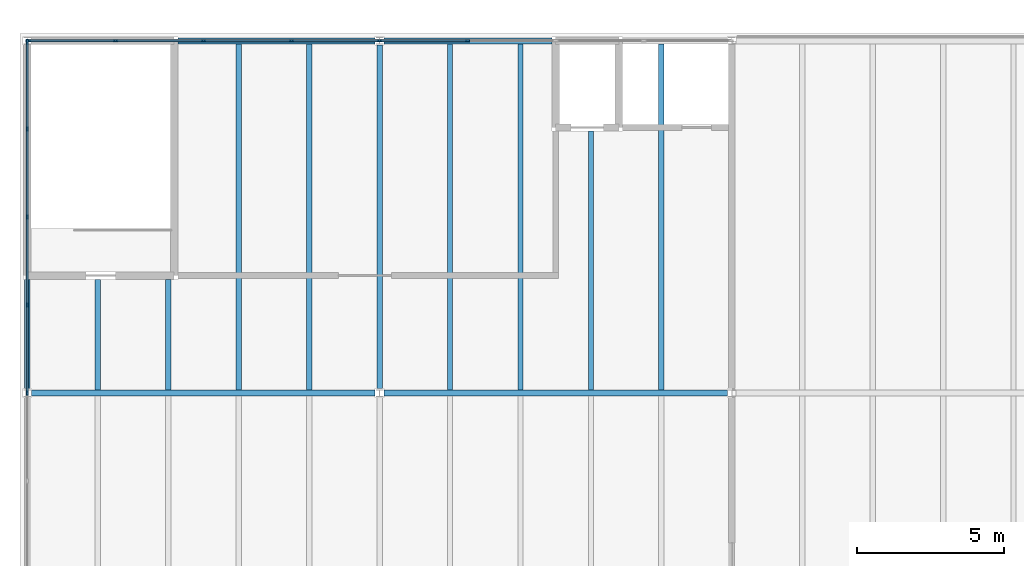
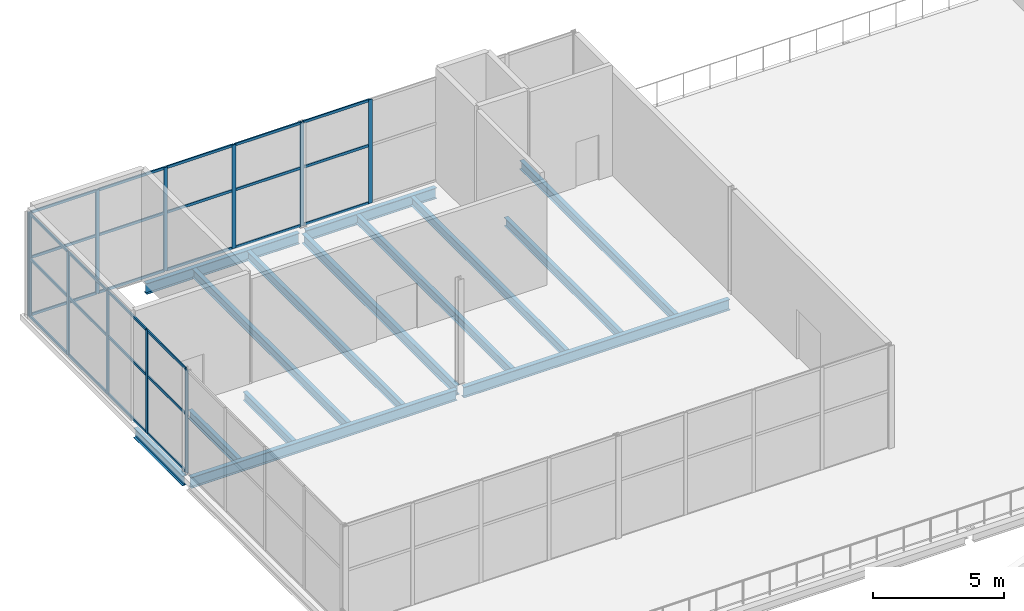
# One storey, part 204 of 321: 38 members, 14 beams, 2 elements without a shape of their own.
"""IFC4 building model written with IfcOpenShell, lengths in metres."""

from ifc_helpers import new_model, si_unit, direction, frame, origin, origin_2d, place, context, subcontext, project, spatial, rectangle, i_section, extrude, material, layer, layer_set, material_profile, profile_set, type_object, element, aggregate, save


model = new_model("IFC4")

# Units and contexts
model_context = context("Model", 3, precision=1e-05, world=origin(), true_north=direction((0.0, 1.0)))
body_context = subcontext(model_context, "Body", "Model", "MODEL_VIEW")
ifc_project = project(units=[si_unit("LENGTHUNIT", "METRE"), si_unit("AREAUNIT", "SQUARE_METRE"), si_unit("VOLUMEUNIT", "CUBIC_METRE"), si_unit("PLANEANGLEUNIT", "RADIAN"), si_unit("MASSUNIT", "GRAM", prefix="KILO")], contexts=[model_context])

# Site, building, storey
site_placement = place(None, origin())
site = spatial("IfcSite", under=ifc_project, at=site_placement, CompositionType="ELEMENT")
building_placement = place(site_placement, origin())
building = spatial("IfcBuilding", under=site, at=building_placement, Name="Ravi Spectrum Wholesale Market", CompositionType="ELEMENT")
storey_placement = place(building_placement, frame((0.0, 0.0, 10.800048828125)))
storey = spatial("IfcBuildingStorey", under=building, at=storey_placement, Name="L02", CompositionType="ELEMENT", Elevation=10.800048828125)

# Beams
ifc_material_1 = material(Name="Steel S355", Category="steel")
ifc_material_profile_1 = material_profile(ifc_material_1, i_section(OverallWidth=0.179931640625, OverallDepth=0.39990234375, WebThickness=0.008544921875, FlangeThickness=0.013427734375, at=origin_2d()))
ifc_profile_set_1 = profile_set([ifc_material_profile_1], Name="Steel S355")
beam_type_1 = type_object("IfcBeamType", Name="IPE 400 girder", PredefinedType="BEAM", material=ifc_profile_set_1)
for number, where, z_axis, x_axis, name in (
    (1, (14.39990234375, 222.10009765625, -0.449951171875), (0.0, 1.0, 0.0), (-1.0, 0.0, 0.0), "OF-BM-L02-041"),
    (2, (16.800048828125, 222.10009765625, -0.449951171875), (0.0, 1.0, 0.0), (-1.0, 0.0, 0.0), "OF-BM-L02-042"),
):
    element("IfcBeam", number, at=place(storey_placement, frame(where, z_axis=z_axis, x_axis=x_axis)), inside=storey, type_object=beam_type_1, Name=name, PredefinedType="BEAM", context=body_context, shape_type="SweptSolid", body=[
        extrude(i_section(OverallWidth=0.179931640625, OverallDepth=0.39990234375, WebThickness=0.008544921875, FlangeThickness=0.013427734375, at=origin_2d()), origin(), (0.0, 0.0, 1.0), 3.77490234375),
    ])
for number, where, z_axis, x_axis, name in (
    (3, (19.199951171875, 222.10009765625, -0.449951171875), (0.0, 1.0, 0.0), (-1.0, 0.0, 0.0), "OF-BM-L02-043"),
    (4, (21.60009765625, 222.10009765625, -0.449951171875), (0.0, 1.0, 0.0), (-1.0, 0.0, 0.0), "OF-BM-L02-044"),
    (5, (26.39990234375, 222.10009765625, -0.449951171875), (0.0, 1.0, 0.0), (-1.0, 0.0, 0.0), "OF-BM-L02-053"),
    (6, (28.800048828125, 222.10009765625, -0.449951171875), (0.0, 1.0, 0.0), (-1.0, 0.0, 0.0), "OF-BM-L02-054"),
):
    element("IfcBeam", number, at=place(storey_placement, frame(where, z_axis=z_axis, x_axis=x_axis)), inside=storey, type_object=beam_type_1, Name=name, PredefinedType="BEAM", context=body_context, shape_type="SweptSolid", body=[
        extrude(i_section(OverallWidth=0.179931640625, OverallDepth=0.39990234375, WebThickness=0.008544921875, FlangeThickness=0.013427734375, at=origin_2d()), origin(), (0.0, 0.0, 1.0), 11.7998046875),
    ])
beam_1_placement = place(storey_placement, frame((31.199951171875, 222.10009765625, -0.449951171875), z_axis=(0.0, 1.0, 0.0), x_axis=(-1.0, 0.0, 0.0)))
element("IfcBeam", 7, at=beam_1_placement, inside=storey, type_object=beam_type_1, Name="OF-BM-L02-055", PredefinedType="BEAM", context=body_context, shape_type="SweptSolid", body=[
    extrude(i_section(OverallWidth=0.179931640625, OverallDepth=0.39990234375, WebThickness=0.008544921875, FlangeThickness=0.013427734375, at=origin_2d()), origin(), (0.0, 0.0, 1.0), 8.824951171875),
])
beam_2_placement = place(storey_placement, frame((33.60009765625, 222.10009765625, -0.449951171875), z_axis=(0.0, 1.0, 0.0), x_axis=(-1.0, 0.0, 0.0)))
element("IfcBeam", 8, at=beam_2_placement, inside=storey, type_object=beam_type_1, Name="OF-BM-L02-056", PredefinedType="BEAM", context=body_context, shape_type="SweptSolid", body=[
    extrude(i_section(OverallWidth=0.179931640625, OverallDepth=0.39990234375, WebThickness=0.008544921875, FlangeThickness=0.013427734375, at=origin_2d()), origin(), (0.0, 0.0, 1.0), 11.7998046875),
])
ifc_material_2 = material(Name="Steel S355", Category="steel")
ifc_material_profile_2 = material_profile(ifc_material_2, i_section(OverallWidth=0.18994140625, OverallDepth=0.449951171875, WebThickness=0.009521484375, FlangeThickness=0.0146484375, at=origin_2d()))
ifc_profile_set_2 = profile_set([ifc_material_profile_2], Name="Steel S355")
beam_type_2 = type_object("IfcBeamType", Name="IPE 450 girder", PredefinedType="BEAM", material=ifc_profile_set_2)
beam_3_placement = place(storey_placement, frame((12.0, 222.14990234375, -0.47509765625), z_axis=(0.0, 1.0, 0.0), x_axis=(-1.0, 0.0, 0.0)))
element("IfcBeam", 9, at=beam_3_placement, inside=storey, type_object=beam_type_2, Name="OF-BM-L02-020", PredefinedType="BEAM", context=body_context, shape_type="SweptSolid", body=[
    extrude(i_section(OverallWidth=0.18994140625, OverallDepth=0.449951171875, WebThickness=0.009521484375, FlangeThickness=0.0146484375, at=origin_2d()), origin(), (0.0, 0.0, 1.0), 3.72509765625),
])
beam_4_placement = place(storey_placement, frame((24.0, 222.14990234375, -0.47509765625), z_axis=(0.0, 1.0, 0.0), x_axis=(-1.0, 0.0, 0.0)))
element("IfcBeam", 10, at=beam_4_placement, inside=storey, type_object=beam_type_2, Name="OF-BM-L02-023", PredefinedType="BEAM", context=body_context, shape_type="SweptSolid", body=[
    extrude(i_section(OverallWidth=0.18994140625, OverallDepth=0.449951171875, WebThickness=0.009521484375, FlangeThickness=0.0146484375, at=origin_2d()), origin(), (0.0, 0.0, 1.0), 11.7001953125),
])
ifc_material_3 = material(Name="Steel S355", Category="steel")
ifc_material_profile_3 = material_profile(ifc_material_3, i_section(OverallWidth=0.199951171875, OverallDepth=0.5, WebThickness=0.01025390625, FlangeThickness=0.01611328125, at=origin_2d()))
ifc_profile_set_3 = profile_set([ifc_material_profile_3], Name="Steel S355")
beam_type_3 = type_object("IfcBeamType", Name="IPE 500 beam", PredefinedType="BEAM", material=ifc_profile_set_3)
for number, where, z_axis, x_axis, name in (
    (11, (12.14990234375, 222.0, -0.5), (1.0, 0.0, 0.0), (0.0, 1.0, 0.0), "OF-BM-L02-009"),
    (12, (24.14990234375, 222.0, -0.5), (1.0, 0.0, 0.0), (0.0, 1.0, 0.0), "OF-BM-L02-010"),
):
    element("IfcBeam", number, at=place(storey_placement, frame(where, z_axis=z_axis, x_axis=x_axis)), inside=storey, type_object=beam_type_3, Name=name, PredefinedType="BEAM", context=body_context, shape_type="SweptSolid", body=[
        extrude(i_section(OverallWidth=0.199951171875, OverallDepth=0.5, WebThickness=0.01025390625, FlangeThickness=0.01611328125, at=origin_2d()), origin(), (0.0, 0.0, 1.0), 11.7001953125),
    ])
beam_5_placement = place(storey_placement, frame((17.125, 234.0, -0.5), z_axis=(1.0, 0.0, 0.0), x_axis=(0.0, 1.0, 0.0)))
element("IfcBeam", 13, at=beam_5_placement, inside=storey, type_object=beam_type_3, Name="OF-BM-L02-013", PredefinedType="BEAM", context=body_context, shape_type="SweptSolid", body=[
    extrude(i_section(OverallWidth=0.199951171875, OverallDepth=0.5, WebThickness=0.01025390625, FlangeThickness=0.01611328125, at=origin_2d()), origin(), (0.0, 0.0, 1.0), 6.72509765625),
])
beam_6_placement = place(storey_placement, frame((24.14990234375, 234.0, -0.5), z_axis=(1.0, 0.0, 0.0), x_axis=(0.0, 1.0, 0.0)))
element("IfcBeam", 14, at=beam_6_placement, inside=storey, type_object=beam_type_3, Name="OF-BM-L02-014", PredefinedType="BEAM", context=body_context, shape_type="SweptSolid", body=[
    extrude(i_section(OverallWidth=0.199951171875, OverallDepth=0.5, WebThickness=0.01025390625, FlangeThickness=0.01611328125, at=origin_2d()), origin(), (0.0, 0.0, 1.0), 5.72509765625),
])

# Curtain wall, members
ifc_material_4 = material(Name="Aluminium 6063-T6", Category="aluminium")
ifc_layer = layer(ifc_material_4, 0.14990234375)
ifc_layer_set = layer_set([ifc_layer], Name="Aluminium 6063-T6")
curtain_wall_type = type_object("IfcCurtainWallType", Name="Curtain wall 150", PredefinedType="NOTDEFINED", material=ifc_layer_set)
curtain_wall_1_placement = place(storey_placement, origin())
curtain_wall_1 = element("IfcCurtainWall", 15, at=curtain_wall_1_placement, inside=storey, type_object=curtain_wall_type, Name="OF-CW-L02-001", PredefinedType="NOTDEFINED")
ifc_material_5 = material(Name="Aluminium 6063-T6", Category="aluminium")
ifc_material_profile_4 = material_profile(ifc_material_5, rectangle(XDim=0.06005859375, YDim=0.159912109375, at=origin_2d()))
ifc_profile_set_4 = profile_set([ifc_material_profile_4], Name="Aluminium 6063-T6")
member_type_1 = type_object("IfcMemberType", Name="Mullion 60 x 160", PredefinedType="MULLION", material=ifc_profile_set_4)
member_1_placement = place(storey_placement, frame((12.0, 222.0, 0.0), z_axis=(0.0, 0.0, 1.0), x_axis=(-1.0, 0.0, 0.0)))
member_1 = element("IfcMember", 16, at=member_1_placement, type_object=member_type_1, Name="OF-CW-L02-001 mullion 5", PredefinedType="MULLION", context=body_context, shape_type="SweptSolid", body=[
    extrude(rectangle(XDim=0.06005859375, YDim=0.159912109375, at=origin_2d()), origin(), (0.0, 0.0, 1.0), 4.820068359375),
])
member_2_placement = place(storey_placement, frame((12.0, 225.0, 0.0), z_axis=(0.0, 0.0, 1.0), x_axis=(-1.0, 0.0, 0.0)))
member_2 = element("IfcMember", 17, at=member_2_placement, type_object=member_type_1, Name="OF-CW-L02-001 mullion 6", PredefinedType="MULLION", context=body_context, shape_type="SweptSolid", body=[
    extrude(rectangle(XDim=0.06005859375, YDim=0.159912109375, at=origin_2d()), origin(), (0.0, 0.0, 1.0), 4.820068359375),
])
member_3_placement = place(storey_placement, frame((12.0, 228.0, 0.0), z_axis=(0.0, 0.0, 1.0), x_axis=(-1.0, 0.0, 0.0)))
member_3 = element("IfcMember", 18, at=member_3_placement, type_object=member_type_1, Name="OF-CW-L02-001 mullion 7", PredefinedType="MULLION", context=body_context, shape_type="SweptSolid", body=[
    extrude(rectangle(XDim=0.06005859375, YDim=0.159912109375, at=origin_2d()), origin(), (0.0, 0.0, 1.0), 4.820068359375),
])
member_4_placement = place(storey_placement, frame((12.0, 231.0, 0.0), z_axis=(0.0, 0.0, 1.0), x_axis=(-1.0, 0.0, 0.0)))
member_4 = element("IfcMember", 19, at=member_4_placement, type_object=member_type_1, Name="OF-CW-L02-001 mullion 8", PredefinedType="MULLION", context=body_context, shape_type="SweptSolid", body=[
    extrude(rectangle(XDim=0.06005859375, YDim=0.159912109375, at=origin_2d()), origin(), (0.0, 0.0, 1.0), 4.820068359375),
])
member_5_placement = place(storey_placement, frame((12.0, 233.969970703125, 0.0), z_axis=(0.0, 0.0, 1.0), x_axis=(-1.0, 0.0, 0.0)))
member_5 = element("IfcMember", 20, at=member_5_placement, type_object=member_type_1, Name="OF-CW-L02-001 mullion 9", PredefinedType="MULLION", context=body_context, shape_type="SweptSolid", body=[
    extrude(rectangle(XDim=0.06005859375, YDim=0.159912109375, at=origin_2d()), origin(), (0.0, 0.0, 1.0), 4.820068359375),
])

curtain_wall_2_placement = place(storey_placement, origin())
curtain_wall_2 = element("IfcCurtainWall", 21, at=curtain_wall_2_placement, inside=storey, type_object=curtain_wall_type, Name="OF-CW-L02-003", PredefinedType="NOTDEFINED")
member_6_placement = place(storey_placement, frame((12.030029296875, 234.0, 0.0), z_axis=(0.0, 0.0, 1.0), x_axis=(0.0, 1.0, 0.0)))
member_6 = element("IfcMember", 22, at=member_6_placement, type_object=member_type_1, Name="OF-CW-L02-003 mullion 1", PredefinedType="MULLION", context=body_context, shape_type="SweptSolid", body=[
    extrude(rectangle(XDim=0.06005859375, YDim=0.159912109375, at=origin_2d()), origin(), (0.0, 0.0, 1.0), 4.820068359375),
])
member_7_placement = place(storey_placement, frame((15.0, 234.0, 0.0), z_axis=(0.0, 0.0, 1.0), x_axis=(0.0, 1.0, 0.0)))
member_7 = element("IfcMember", 23, at=member_7_placement, type_object=member_type_1, Name="OF-CW-L02-003 mullion 2", PredefinedType="MULLION", context=body_context, shape_type="SweptSolid", body=[
    extrude(rectangle(XDim=0.06005859375, YDim=0.159912109375, at=origin_2d()), origin(), (0.0, 0.0, 1.0), 4.820068359375),
])
member_8_placement = place(storey_placement, frame((18.0, 234.0, 0.0), z_axis=(0.0, 0.0, 1.0), x_axis=(0.0, 1.0, 0.0)))
member_8 = element("IfcMember", 24, at=member_8_placement, type_object=member_type_1, Name="OF-CW-L02-003 mullion 3", PredefinedType="MULLION", context=body_context, shape_type="SweptSolid", body=[
    extrude(rectangle(XDim=0.06005859375, YDim=0.159912109375, at=origin_2d()), origin(), (0.0, 0.0, 1.0), 4.820068359375),
])
member_9_placement = place(storey_placement, frame((21.0, 234.0, 0.0), z_axis=(0.0, 0.0, 1.0), x_axis=(0.0, 1.0, 0.0)))
member_9 = element("IfcMember", 25, at=member_9_placement, type_object=member_type_1, Name="OF-CW-L02-003 mullion 4", PredefinedType="MULLION", context=body_context, shape_type="SweptSolid", body=[
    extrude(rectangle(XDim=0.06005859375, YDim=0.159912109375, at=origin_2d()), origin(), (0.0, 0.0, 1.0), 4.820068359375),
])
member_10_placement = place(storey_placement, frame((24.0, 234.0, 0.0), z_axis=(0.0, 0.0, 1.0), x_axis=(0.0, 1.0, 0.0)))
member_10 = element("IfcMember", 26, at=member_10_placement, type_object=member_type_1, Name="OF-CW-L02-003 mullion 5", PredefinedType="MULLION", context=body_context, shape_type="SweptSolid", body=[
    extrude(rectangle(XDim=0.06005859375, YDim=0.159912109375, at=origin_2d()), origin(), (0.0, 0.0, 1.0), 4.820068359375),
])
member_11_placement = place(storey_placement, frame((27.0, 234.0, 0.0), z_axis=(0.0, 0.0, 1.0), x_axis=(0.0, 1.0, 0.0)))
member_11 = element("IfcMember", 27, at=member_11_placement, type_object=member_type_1, Name="OF-CW-L02-003 mullion 6", PredefinedType="MULLION", context=body_context, shape_type="SweptSolid", body=[
    extrude(rectangle(XDim=0.06005859375, YDim=0.159912109375, at=origin_2d()), origin(), (0.0, 0.0, 1.0), 4.820068359375),
])

# Member
ifc_material_6 = material(Name="Aluminium 6063-T6", Category="aluminium")
ifc_material_profile_5 = material_profile(ifc_material_6, rectangle(XDim=0.06005859375, YDim=0.1201171875, at=origin_2d()))
ifc_profile_set_5 = profile_set([ifc_material_profile_5], Name="Aluminium 6063-T6")
member_type_2 = type_object("IfcMemberType", Name="Transom 60 x 120", PredefinedType="USERDEFINED", material=ifc_profile_set_5)
member_12_placement = place(storey_placement, frame((12.0, 222.030029296875, 0.030029296875), z_axis=(0.0, 1.0, 0.0), x_axis=(-1.0, 0.0, 0.0)))
member_12 = element("IfcMember", 28, at=member_12_placement, type_object=member_type_2, Name="OF-CW-L02-001 transom 5.1", ObjectType="TRANSOM", PredefinedType="USERDEFINED", context=body_context, shape_type="SweptSolid", body=[
    extrude(rectangle(XDim=0.06005859375, YDim=0.1201171875, at=origin_2d()), origin(), (0.0, 0.0, 1.0), 2.93994140625),
])

member_13_placement = place(storey_placement, frame((12.0, 222.030029296875, 2.699951171875), z_axis=(0.0, 1.0, 0.0), x_axis=(-1.0, 0.0, 0.0)))
member_13 = element("IfcMember", 29, at=member_13_placement, type_object=member_type_2, Name="OF-CW-L02-001 transom 5.2", ObjectType="TRANSOM", PredefinedType="USERDEFINED", context=body_context, shape_type="SweptSolid", body=[
    extrude(rectangle(XDim=0.06005859375, YDim=0.1201171875, at=origin_2d()), origin(), (0.0, 0.0, 1.0), 2.93994140625),
])

member_14_placement = place(storey_placement, frame((12.0, 222.030029296875, 4.7900390625), z_axis=(0.0, 1.0, 0.0), x_axis=(-1.0, 0.0, 0.0)))
member_14 = element("IfcMember", 30, at=member_14_placement, type_object=member_type_2, Name="OF-CW-L02-001 transom 5.3", ObjectType="TRANSOM", PredefinedType="USERDEFINED", context=body_context, shape_type="SweptSolid", body=[
    extrude(rectangle(XDim=0.06005859375, YDim=0.1201171875, at=origin_2d()), origin(), (0.0, 0.0, 1.0), 2.93994140625),
])

member_15_placement = place(storey_placement, frame((12.0, 225.030029296875, 0.030029296875), z_axis=(0.0, 1.0, 0.0), x_axis=(-1.0, 0.0, 0.0)))
member_15 = element("IfcMember", 31, at=member_15_placement, type_object=member_type_2, Name="OF-CW-L02-001 transom 6.1", ObjectType="TRANSOM", PredefinedType="USERDEFINED", context=body_context, shape_type="SweptSolid", body=[
    extrude(rectangle(XDim=0.06005859375, YDim=0.1201171875, at=origin_2d()), origin(), (0.0, 0.0, 1.0), 2.93994140625),
])

member_16_placement = place(storey_placement, frame((12.0, 225.030029296875, 2.699951171875), z_axis=(0.0, 1.0, 0.0), x_axis=(-1.0, 0.0, 0.0)))
member_16 = element("IfcMember", 32, at=member_16_placement, type_object=member_type_2, Name="OF-CW-L02-001 transom 6.2", ObjectType="TRANSOM", PredefinedType="USERDEFINED", context=body_context, shape_type="SweptSolid", body=[
    extrude(rectangle(XDim=0.06005859375, YDim=0.1201171875, at=origin_2d()), origin(), (0.0, 0.0, 1.0), 2.93994140625),
])

member_17_placement = place(storey_placement, frame((12.0, 225.030029296875, 4.7900390625), z_axis=(0.0, 1.0, 0.0), x_axis=(-1.0, 0.0, 0.0)))
member_17 = element("IfcMember", 33, at=member_17_placement, type_object=member_type_2, Name="OF-CW-L02-001 transom 6.3", ObjectType="TRANSOM", PredefinedType="USERDEFINED", context=body_context, shape_type="SweptSolid", body=[
    extrude(rectangle(XDim=0.06005859375, YDim=0.1201171875, at=origin_2d()), origin(), (0.0, 0.0, 1.0), 2.93994140625),
])

member_18_placement = place(storey_placement, frame((12.0, 228.030029296875, 0.030029296875), z_axis=(0.0, 1.0, 0.0), x_axis=(-1.0, 0.0, 0.0)))
member_18 = element("IfcMember", 34, at=member_18_placement, type_object=member_type_2, Name="OF-CW-L02-001 transom 7.1", ObjectType="TRANSOM", PredefinedType="USERDEFINED", context=body_context, shape_type="SweptSolid", body=[
    extrude(rectangle(XDim=0.06005859375, YDim=0.1201171875, at=origin_2d()), origin(), (0.0, 0.0, 1.0), 2.93994140625),
])

member_19_placement = place(storey_placement, frame((12.0, 228.030029296875, 2.699951171875), z_axis=(0.0, 1.0, 0.0), x_axis=(-1.0, 0.0, 0.0)))
member_19 = element("IfcMember", 35, at=member_19_placement, type_object=member_type_2, Name="OF-CW-L02-001 transom 7.2", ObjectType="TRANSOM", PredefinedType="USERDEFINED", context=body_context, shape_type="SweptSolid", body=[
    extrude(rectangle(XDim=0.06005859375, YDim=0.1201171875, at=origin_2d()), origin(), (0.0, 0.0, 1.0), 2.93994140625),
])

member_20_placement = place(storey_placement, frame((12.0, 228.030029296875, 4.7900390625), z_axis=(0.0, 1.0, 0.0), x_axis=(-1.0, 0.0, 0.0)))
member_20 = element("IfcMember", 36, at=member_20_placement, type_object=member_type_2, Name="OF-CW-L02-001 transom 7.3", ObjectType="TRANSOM", PredefinedType="USERDEFINED", context=body_context, shape_type="SweptSolid", body=[
    extrude(rectangle(XDim=0.06005859375, YDim=0.1201171875, at=origin_2d()), origin(), (0.0, 0.0, 1.0), 2.93994140625),
])

member_21_placement = place(storey_placement, frame((12.0, 231.030029296875, 0.030029296875), z_axis=(0.0, 1.0, 0.0), x_axis=(-1.0, 0.0, 0.0)))
member_21 = element("IfcMember", 37, at=member_21_placement, type_object=member_type_2, Name="OF-CW-L02-001 transom 8.1", ObjectType="TRANSOM", PredefinedType="USERDEFINED", context=body_context, shape_type="SweptSolid", body=[
    extrude(rectangle(XDim=0.06005859375, YDim=0.1201171875, at=origin_2d()), origin(), (0.0, 0.0, 1.0), 2.909912109375),
])

member_22_placement = place(storey_placement, frame((12.0, 231.030029296875, 2.699951171875), z_axis=(0.0, 1.0, 0.0), x_axis=(-1.0, 0.0, 0.0)))
member_22 = element("IfcMember", 38, at=member_22_placement, type_object=member_type_2, Name="OF-CW-L02-001 transom 8.2", ObjectType="TRANSOM", PredefinedType="USERDEFINED", context=body_context, shape_type="SweptSolid", body=[
    extrude(rectangle(XDim=0.06005859375, YDim=0.1201171875, at=origin_2d()), origin(), (0.0, 0.0, 1.0), 2.909912109375),
])

member_23_placement = place(storey_placement, frame((12.0, 231.030029296875, 4.7900390625), z_axis=(0.0, 1.0, 0.0), x_axis=(-1.0, 0.0, 0.0)))
member_23 = element("IfcMember", 39, at=member_23_placement, type_object=member_type_2, Name="OF-CW-L02-001 transom 8.3", ObjectType="TRANSOM", PredefinedType="USERDEFINED", context=body_context, shape_type="SweptSolid", body=[
    extrude(rectangle(XDim=0.06005859375, YDim=0.1201171875, at=origin_2d()), origin(), (0.0, 0.0, 1.0), 2.909912109375),
])

aggregate(curtain_wall_1, [member_1, member_2, member_3, member_4, member_5, member_12, member_13, member_14, member_15, member_16, member_17, member_18, member_19, member_20, member_21, member_22, member_23])

member_24_placement = place(storey_placement, frame((12.06005859375, 234.0, 0.030029296875), z_axis=(1.0, 0.0, 0.0), x_axis=(0.0, 1.0, 0.0)))
member_24 = element("IfcMember", 40, at=member_24_placement, type_object=member_type_2, Name="OF-CW-L02-003 transom 1.1", ObjectType="TRANSOM", PredefinedType="USERDEFINED", context=body_context, shape_type="SweptSolid", body=[
    extrude(rectangle(XDim=0.06005859375, YDim=0.1201171875, at=origin_2d()), origin(), (0.0, 0.0, 1.0), 2.909912109375),
])

member_25_placement = place(storey_placement, frame((12.06005859375, 234.0, 2.699951171875), z_axis=(1.0, 0.0, 0.0), x_axis=(0.0, 1.0, 0.0)))
member_25 = element("IfcMember", 41, at=member_25_placement, type_object=member_type_2, Name="OF-CW-L02-003 transom 1.2", ObjectType="TRANSOM", PredefinedType="USERDEFINED", context=body_context, shape_type="SweptSolid", body=[
    extrude(rectangle(XDim=0.06005859375, YDim=0.1201171875, at=origin_2d()), origin(), (0.0, 0.0, 1.0), 2.909912109375),
])

member_26_placement = place(storey_placement, frame((12.06005859375, 234.0, 4.7900390625), z_axis=(1.0, 0.0, 0.0), x_axis=(0.0, 1.0, 0.0)))
member_26 = element("IfcMember", 42, at=member_26_placement, type_object=member_type_2, Name="OF-CW-L02-003 transom 1.3", ObjectType="TRANSOM", PredefinedType="USERDEFINED", context=body_context, shape_type="SweptSolid", body=[
    extrude(rectangle(XDim=0.06005859375, YDim=0.1201171875, at=origin_2d()), origin(), (0.0, 0.0, 1.0), 2.909912109375),
])

member_27_placement = place(storey_placement, frame((15.030029296875, 234.0, 0.030029296875), z_axis=(1.0, 0.0, 0.0), x_axis=(0.0, 1.0, 0.0)))
member_27 = element("IfcMember", 43, at=member_27_placement, type_object=member_type_2, Name="OF-CW-L02-003 transom 2.1", ObjectType="TRANSOM", PredefinedType="USERDEFINED", context=body_context, shape_type="SweptSolid", body=[
    extrude(rectangle(XDim=0.06005859375, YDim=0.1201171875, at=origin_2d()), origin(), (0.0, 0.0, 1.0), 2.93994140625),
])

member_28_placement = place(storey_placement, frame((15.030029296875, 234.0, 2.699951171875), z_axis=(1.0, 0.0, 0.0), x_axis=(0.0, 1.0, 0.0)))
member_28 = element("IfcMember", 44, at=member_28_placement, type_object=member_type_2, Name="OF-CW-L02-003 transom 2.2", ObjectType="TRANSOM", PredefinedType="USERDEFINED", context=body_context, shape_type="SweptSolid", body=[
    extrude(rectangle(XDim=0.06005859375, YDim=0.1201171875, at=origin_2d()), origin(), (0.0, 0.0, 1.0), 2.93994140625),
])

member_29_placement = place(storey_placement, frame((15.030029296875, 234.0, 4.7900390625), z_axis=(1.0, 0.0, 0.0), x_axis=(0.0, 1.0, 0.0)))
member_29 = element("IfcMember", 45, at=member_29_placement, type_object=member_type_2, Name="OF-CW-L02-003 transom 2.3", ObjectType="TRANSOM", PredefinedType="USERDEFINED", context=body_context, shape_type="SweptSolid", body=[
    extrude(rectangle(XDim=0.06005859375, YDim=0.1201171875, at=origin_2d()), origin(), (0.0, 0.0, 1.0), 2.93994140625),
])

member_30_placement = place(storey_placement, frame((18.030029296875, 234.0, 0.030029296875), z_axis=(1.0, 0.0, 0.0), x_axis=(0.0, 1.0, 0.0)))
member_30 = element("IfcMember", 46, at=member_30_placement, type_object=member_type_2, Name="OF-CW-L02-003 transom 3.1", ObjectType="TRANSOM", PredefinedType="USERDEFINED", context=body_context, shape_type="SweptSolid", body=[
    extrude(rectangle(XDim=0.06005859375, YDim=0.1201171875, at=origin_2d()), origin(), (0.0, 0.0, 1.0), 2.93994140625),
])

member_31_placement = place(storey_placement, frame((18.030029296875, 234.0, 2.699951171875), z_axis=(1.0, 0.0, 0.0), x_axis=(0.0, 1.0, 0.0)))
member_31 = element("IfcMember", 47, at=member_31_placement, type_object=member_type_2, Name="OF-CW-L02-003 transom 3.2", ObjectType="TRANSOM", PredefinedType="USERDEFINED", context=body_context, shape_type="SweptSolid", body=[
    extrude(rectangle(XDim=0.06005859375, YDim=0.1201171875, at=origin_2d()), origin(), (0.0, 0.0, 1.0), 2.93994140625),
])

member_32_placement = place(storey_placement, frame((18.030029296875, 234.0, 4.7900390625), z_axis=(1.0, 0.0, 0.0), x_axis=(0.0, 1.0, 0.0)))
member_32 = element("IfcMember", 48, at=member_32_placement, type_object=member_type_2, Name="OF-CW-L02-003 transom 3.3", ObjectType="TRANSOM", PredefinedType="USERDEFINED", context=body_context, shape_type="SweptSolid", body=[
    extrude(rectangle(XDim=0.06005859375, YDim=0.1201171875, at=origin_2d()), origin(), (0.0, 0.0, 1.0), 2.93994140625),
])

member_33_placement = place(storey_placement, frame((21.030029296875, 234.0, 0.030029296875), z_axis=(1.0, 0.0, 0.0), x_axis=(0.0, 1.0, 0.0)))
member_33 = element("IfcMember", 49, at=member_33_placement, type_object=member_type_2, Name="OF-CW-L02-003 transom 4.1", ObjectType="TRANSOM", PredefinedType="USERDEFINED", context=body_context, shape_type="SweptSolid", body=[
    extrude(rectangle(XDim=0.06005859375, YDim=0.1201171875, at=origin_2d()), origin(), (0.0, 0.0, 1.0), 2.93994140625),
])

member_34_placement = place(storey_placement, frame((21.030029296875, 234.0, 2.699951171875), z_axis=(1.0, 0.0, 0.0), x_axis=(0.0, 1.0, 0.0)))
member_34 = element("IfcMember", 50, at=member_34_placement, type_object=member_type_2, Name="OF-CW-L02-003 transom 4.2", ObjectType="TRANSOM", PredefinedType="USERDEFINED", context=body_context, shape_type="SweptSolid", body=[
    extrude(rectangle(XDim=0.06005859375, YDim=0.1201171875, at=origin_2d()), origin(), (0.0, 0.0, 1.0), 2.93994140625),
])

member_35_placement = place(storey_placement, frame((21.030029296875, 234.0, 4.7900390625), z_axis=(1.0, 0.0, 0.0), x_axis=(0.0, 1.0, 0.0)))
member_35 = element("IfcMember", 51, at=member_35_placement, type_object=member_type_2, Name="OF-CW-L02-003 transom 4.3", ObjectType="TRANSOM", PredefinedType="USERDEFINED", context=body_context, shape_type="SweptSolid", body=[
    extrude(rectangle(XDim=0.06005859375, YDim=0.1201171875, at=origin_2d()), origin(), (0.0, 0.0, 1.0), 2.93994140625),
])

member_36_placement = place(storey_placement, frame((24.030029296875, 234.0, 0.030029296875), z_axis=(1.0, 0.0, 0.0), x_axis=(0.0, 1.0, 0.0)))
member_36 = element("IfcMember", 52, at=member_36_placement, type_object=member_type_2, Name="OF-CW-L02-003 transom 5.1", ObjectType="TRANSOM", PredefinedType="USERDEFINED", context=body_context, shape_type="SweptSolid", body=[
    extrude(rectangle(XDim=0.06005859375, YDim=0.1201171875, at=origin_2d()), origin(), (0.0, 0.0, 1.0), 2.93994140625),
])

member_37_placement = place(storey_placement, frame((24.030029296875, 234.0, 2.699951171875), z_axis=(1.0, 0.0, 0.0), x_axis=(0.0, 1.0, 0.0)))
member_37 = element("IfcMember", 53, at=member_37_placement, type_object=member_type_2, Name="OF-CW-L02-003 transom 5.2", ObjectType="TRANSOM", PredefinedType="USERDEFINED", context=body_context, shape_type="SweptSolid", body=[
    extrude(rectangle(XDim=0.06005859375, YDim=0.1201171875, at=origin_2d()), origin(), (0.0, 0.0, 1.0), 2.93994140625),
])

member_38_placement = place(storey_placement, frame((24.030029296875, 234.0, 4.7900390625), z_axis=(1.0, 0.0, 0.0), x_axis=(0.0, 1.0, 0.0)))
member_38 = element("IfcMember", 54, at=member_38_placement, type_object=member_type_2, Name="OF-CW-L02-003 transom 5.3", ObjectType="TRANSOM", PredefinedType="USERDEFINED", context=body_context, shape_type="SweptSolid", body=[
    extrude(rectangle(XDim=0.06005859375, YDim=0.1201171875, at=origin_2d()), origin(), (0.0, 0.0, 1.0), 2.93994140625),
])

aggregate(curtain_wall_2, [member_6, member_7, member_8, member_9, member_10, member_11, member_24, member_25, member_26, member_27, member_28, member_29, member_30, member_31, member_32, member_33, member_34, member_35, member_36, member_37, member_38])

save(model, "model.ifc")
